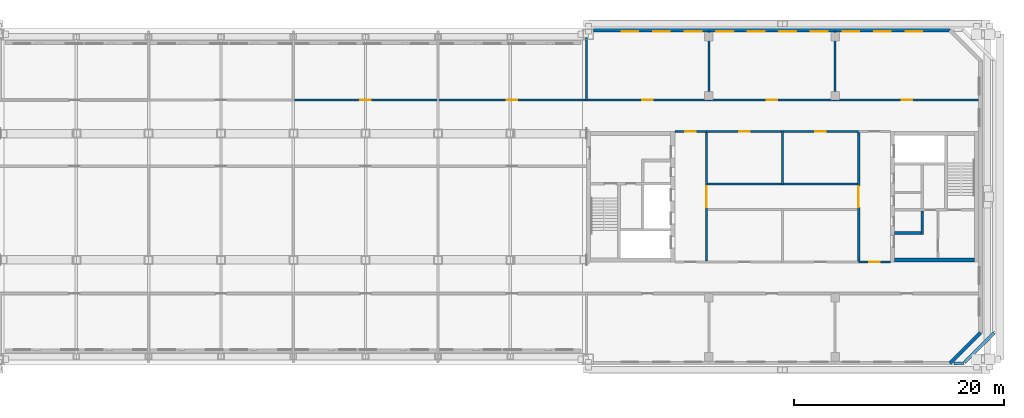
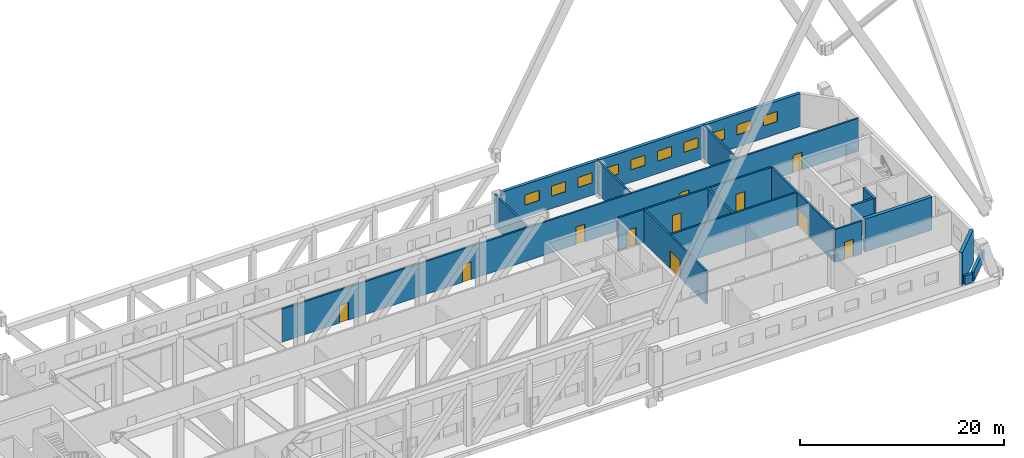
# One storey, part 12 of 17: 18 walls, 11 doors, 10 windows, 21 openings.
"""IFC4 building model written with IfcOpenShell, lengths in metres."""

import ifcopenshell
import ifcopenshell.guid

model = None  # the IFC model being written
_history = None  # IfcOwnerHistory: only IFC2X3 demands one
_inside = {}  # id of a spatial element -> (the spatial element, [elements in it])
_under = {}  # id of a project, library or spatial element -> (it, [spatial elements below it])
_declared = {}  # id of a project -> (the project, [libraries it declares])
_typed = {}  # id of a type object -> (the type object, [elements of that type])
_made_of = {}  # id of a material, layer set ... -> (it, [elements and type objects made of it])


def new_model(schema):
    """Start an empty IFC model of exactly this schema.

    Asked for "IFC4X3", IfcOpenShell would pick the latest addendum, in which some entities
    have other attributes; the version numbers below select the first issue.
    IFC2X3 requires an IfcOwnerHistory on every rooted entity: one is made here for all.
    """
    global model, _history
    if schema == "IFC4X3":
        model = ifcopenshell.file(schema_version=(4, 3, 0, 0))
    else:
        model = ifcopenshell.file(schema=schema)
    _inside.clear()
    _under.clear()
    _declared.clear()
    _typed.clear()
    _made_of.clear()
    _history = None
    if model.schema == "IFC2X3":
        org = make("IfcOrganization", Name="unknown")
        user = make(
            "IfcPersonAndOrganization",
            ThePerson=make("IfcPerson", FamilyName="unknown"),
            TheOrganization=org,
        )
        app = make(
            "IfcApplication",
            ApplicationDeveloper=org,
            Version="unknown",
            ApplicationFullName="unknown",
            ApplicationIdentifier="unknown",
        )
        _history = make(
            "IfcOwnerHistory",
            OwningUser=user,
            OwningApplication=app,
            ChangeAction="ADDED",
            CreationDate=0,
        )
    return model


def make(cls, **values):
    """One entity of the class cls with the attributes given. An attribute that is None is left unset."""
    return model.create_entity(
        cls, **{name: value for name, value in values.items() if value is not None}
    )


def rooted(cls, **values):
    """An entity with a GlobalId (a new one), such as an element, a storey or a relation."""
    return make(cls, GlobalId=ifcopenshell.guid.new(), OwnerHistory=_history, **values)


def si_unit(unit_type, name, prefix=None):
    """IfcSIUnit, for example si_unit("LENGTHUNIT", "METRE", prefix="MILLI")."""
    return make("IfcSIUnit", UnitType=unit_type, Prefix=prefix, Name=name)


def assignment(units):
    """IfcUnitAssignment: the units of a project."""
    return None if units is None else make("IfcUnitAssignment", Units=units)


def point(xyz):
    """IfcCartesianPoint."""
    return None if xyz is None else make("IfcCartesianPoint", Coordinates=xyz)


def direction(xyz):
    """IfcDirection."""
    return None if xyz is None else make("IfcDirection", DirectionRatios=xyz)


def frame(location, z_axis=None, x_axis=None):
    """IfcAxis2Placement3D, a coordinate frame: its origin and axes. An axis left out is left unset."""
    return make(
        "IfcAxis2Placement3D",
        Location=point(location),
        Axis=direction(z_axis),
        RefDirection=direction(x_axis),
    )


def frame_2d(location, x_axis=None):
    """IfcAxis2Placement2D, a coordinate frame in the plane: its origin and x axis."""
    return make(
        "IfcAxis2Placement2D", Location=point(location), RefDirection=direction(x_axis)
    )


def origin():
    """The frame at (0, 0, 0) with its axes left unset."""
    return frame((0.0, 0.0, 0.0))


def place(relative_to, where):
    """IfcLocalPlacement: puts the frame where relative to a parent placement (None: the world)."""
    return make(
        "IfcLocalPlacement", PlacementRelTo=relative_to, RelativePlacement=where
    )


def context(
    kind, dimensions, precision=None, world=None, true_north=None, identifier=None
):
    """IfcGeometricRepresentationContext, for example the 3D "Model" context."""
    return make(
        "IfcGeometricRepresentationContext",
        ContextIdentifier=identifier,
        ContextType=kind,
        CoordinateSpaceDimension=dimensions,
        Precision=precision,
        WorldCoordinateSystem=world,
        TrueNorth=true_north,
    )


def subcontext(parent, identifier, kind, view, scale=None):
    """IfcGeometricRepresentationSubContext, for example "Body" below "Model"."""
    return make(
        "IfcGeometricRepresentationSubContext",
        ContextIdentifier=identifier,
        ContextType=kind,
        ParentContext=parent,
        TargetScale=scale,
        TargetView=view,
    )


def project(units=None, contexts=None):
    """IfcProject with its units and contexts."""
    return rooted(
        "IfcProject",
        Name="project",
        RepresentationContexts=contexts,
        UnitsInContext=assignment(units),
    )


def spatial(cls, under=None, at=None, **own):
    """A site, building, storey or space (cls), placed at a placement, below another one or the project."""
    s = rooted(cls, ObjectPlacement=at, **own)
    if under is not None:
        _under.setdefault(under.id(), (under, []))[1].append(s)
    return s


def profile(cls, at=None, kind="AREA", **sizes):
    """A parametric profile (cls). Its sizes go by their IFC names, for example OverallWidth=200.0."""
    return make(cls, ProfileType=kind, Position=at, **sizes)


def rectangle(**sizes):
    """IfcRectangleProfileDef."""
    return profile("IfcRectangleProfileDef", **sizes)


def extrude(swept, where, along, depth):
    """IfcExtrudedAreaSolid: the profile swept, set in the frame where, extruded along a direction by depth."""
    return make(
        "IfcExtrudedAreaSolid",
        SweptArea=swept,
        Position=where,
        ExtrudedDirection=direction(along),
        Depth=depth,
    )


def shape(context_of_items, identifier, shape_type, items):
    """IfcShapeRepresentation: the items that make up one representation, for example the "Body"."""
    return make(
        "IfcShapeRepresentation",
        ContextOfItems=context_of_items,
        RepresentationIdentifier=identifier,
        RepresentationType=shape_type,
        Items=items,
    )


def material(Name=None, Category=None):
    """IfcMaterial."""
    return make("IfcMaterial", Name=Name, Category=Category)


def layer(
    of_material, thickness, ventilated=None, Name=None, Category=None, Priority=None
):
    """IfcMaterialLayer: one layer of a wall or slab, of a material (None: an air gap)."""
    return make(
        "IfcMaterialLayer",
        Material=of_material,
        LayerThickness=thickness,
        IsVentilated=ventilated,
        Name=Name,
        Category=Category,
        Priority=Priority,
    )


def layer_set(layers, Name=None):
    """IfcMaterialLayerSet."""
    return make("IfcMaterialLayerSet", MaterialLayers=layers, LayerSetName=Name)


def made_of(thing, what):
    """Note that an element or type object is made of a material, layer set ...; save() writes the relation."""
    if what is not None:
        _made_of.setdefault(what.id(), (what, []))[1].append(thing)
    return thing


def type_object(cls, material=None, **own):
    """A type object (cls), such as IfcWallType, which elements share."""
    return made_of(rooted(cls, **own), material)


def element(
    cls,
    number,
    at=None,
    inside=None,
    cuts=None,
    type_object=None,
    material=None,
    context=None,
    identifier="Body",
    shape_type=None,
    held_by="IfcProductDefinitionShape",
    body=None,
    shapes=None,
    **own,
):
    """One element of the class cls, such as IfcWall. Its Tag is "e" and its number.

    at: its placement. inside: the storey or other place that contains it. cuts: it is an
    opening in that element (IfcRelVoidsElement). A single representation is given by context,
    identifier, shape_type and body (its items); several are given by shapes. held_by: the class
    of the entity that holds the representations. save() writes the other relations.
    """
    e = rooted(cls, Tag="e%d" % number, ObjectPlacement=at, **own)
    if body is not None:
        shapes = [shape(context, identifier, shape_type, body)]
    if shapes is not None:
        e.Representation = make(held_by, Representations=shapes)
    if inside is not None:
        _inside.setdefault(inside.id(), (inside, []))[1].append(e)
    if cuts is not None:
        rooted(
            "IfcRelVoidsElement", RelatingBuildingElement=cuts, RelatedOpeningElement=e
        )
    if type_object is not None:
        _typed.setdefault(type_object.id(), (type_object, []))[1].append(e)
    return made_of(e, material)


def fill(opening, filler):
    """IfcRelFillsElement: the door or window that sits in an opening."""
    return rooted(
        "IfcRelFillsElement",
        RelatingOpeningElement=opening,
        RelatedBuildingElement=filler,
    )


def aggregate(whole, parts):
    """IfcRelAggregates: a whole, such as a stair, and the parts it consists of."""
    return rooted("IfcRelAggregates", RelatingObject=whole, RelatedObjects=parts)


def save(model, path):
    """Write the relations noted so far, then the file.

    IfcRelAggregates (storeys below a building ...), IfcRelContainedInSpatialStructure (elements
    in a storey), IfcRelDefinesByType, IfcRelAssociatesMaterial and IfcRelDeclares: one each for
    every whole, place, type object, material and project.
    """
    for whole, parts in _under.values():
        aggregate(whole, parts)
    for where, things in _inside.values():
        rooted(
            "IfcRelContainedInSpatialStructure",
            RelatedElements=things,
            RelatingStructure=where,
        )
    for kind, things in _typed.values():
        rooted("IfcRelDefinesByType", RelatedObjects=things, RelatingType=kind)
    for what, things in _made_of.values():
        rooted("IfcRelAssociatesMaterial", RelatedObjects=things, RelatingMaterial=what)
    for by, libraries in _declared.values():
        rooted("IfcRelDeclares", RelatingContext=by, RelatedDefinitions=libraries)
    model.write(path)


model = new_model("IFC4")

# Units and contexts
model_context = context("Model", 3, precision=1e-05, world=origin(), true_north=direction((0.0, 1.0)))
body_context = subcontext(model_context, "Body", "Model", "MODEL_VIEW")
ifc_project = project(units=[si_unit("LENGTHUNIT", "METRE"), si_unit("AREAUNIT", "SQUARE_METRE"), si_unit("VOLUMEUNIT", "CUBIC_METRE"), si_unit("PLANEANGLEUNIT", "RADIAN"), si_unit("MASSUNIT", "GRAM", prefix="KILO")], contexts=[model_context])

# Site, building, storey
site_placement = place(None, origin())
site = spatial("IfcSite", under=ifc_project, at=site_placement, CompositionType="ELEMENT")
building_placement = place(site_placement, origin())
building = spatial("IfcBuilding", under=site, at=building_placement, Name="Tuart Gate Housing", CompositionType="ELEMENT")
storey_placement = place(building_placement, frame((0.0, 0.0, 194.39990234375)))
storey = spatial("IfcBuildingStorey", under=building, at=storey_placement, Name="L55", CompositionType="ELEMENT", Elevation=194.39990234375)

# Walls
ifc_material_1 = material(Name="Brick", Category="masonry")
ifc_layer_1 = layer(ifc_material_1, 0.300048828125)
ifc_layer_set_1 = layer_set([ifc_layer_1], Name="Brick parapet wall 300")
wall_type_1 = type_object("IfcWallType", Name="Brick parapet wall 300", PredefinedType="PARAPET", material=ifc_layer_set_1)
wall_1_placement = place(storey_placement, frame((166.300048828125, 54.14990234375, 0.0), z_axis=(0.0, 0.0, 1.0), x_axis=(1.0, 0.0, 0.0)))
element("IfcWall", 1, at=wall_1_placement, inside=storey, type_object=wall_type_1, Name="Roof parapet B 1", PredefinedType="PARAPET", context=body_context, shape_type="SweptSolid", body=[
    extrude(rectangle(XDim=0.887939453125, YDim=0.300048828125, at=frame_2d((0.44384765625, 0.0))), origin(), (0.0, 0.0, 1.0), 1.10009765625),
])
wall_2_placement = place(storey_placement, frame((167.29541015625, 54.257568359375, 0.0), z_axis=(0.0, 0.0, 1.0), x_axis=(0.707137557743, 0.70707600329, 0.0)))
element("IfcWall", 2, at=wall_2_placement, inside=storey, type_object=wall_type_1, Name="Roof parapet B 2", PredefinedType="PARAPET", context=body_context, shape_type="SweptSolid", body=[
    extrude(rectangle(XDim=3.96630859375, YDim=0.300048828125, at=frame_2d((1.983154296875, 0.0))), origin(), (0.0, 0.0, 1.0), 1.10009765625),
])
ifc_material_2 = material(Name="Brick", Category="masonry")
ifc_layer_2 = layer(ifc_material_2, 0.360107421875)
ifc_layer_set_2 = layer_set([ifc_layer_2], Name="Brick pier and spandrel wall 360")
wall_type_2 = type_object("IfcWallType", Name="Brick pier and spandrel wall 360", PredefinedType="STANDARD", material=ifc_layer_set_2)
wall_3_placement = place(storey_placement, frame((165.92529296875, 54.179931640625, 0.0), z_axis=(0.0, 0.0, 1.0), x_axis=(0.707106781187, 0.707106781187, 0.0)))
element("IfcWall", 3, at=wall_3_placement, inside=storey, type_object=wall_type_2, Name="External wall BLK-SE L55", PredefinedType="STANDARD", context=body_context, shape_type="SweptSolid", body=[
    extrude(rectangle(XDim=4.09375, YDim=0.360107421875, at=frame_2d((2.046875, 0.0))), origin(), (0.0, 0.0, 1.0), 3.9501953125),
])

# Wall, openings, windows
wall_4_placement = place(storey_placement, frame((165.92529296875, 85.820068359375, 0.0), z_axis=(0.0, 0.0, 1.0), x_axis=(-1.0, 0.0, 0.0)))
wall_4 = element("IfcWall", 4, at=wall_4_placement, inside=storey, type_object=wall_type_2, Name="External wall BLK-N L55", PredefinedType="STANDARD", context=body_context, shape_type="SweptSolid", body=[
    extrude(rectangle(XDim=33.875244140625, YDim=0.360107421875, at=frame_2d((16.9375, 0.0))), origin(), (0.0, 0.0, 1.0), 3.9501953125),
])
opening_1_placement = place(wall_4_placement, frame((2.62548828125, 0.0, 1.5)))
opening_1 = element("IfcOpeningElement", 5, at=opening_1_placement, cuts=wall_4, Name="Opening W3", PredefinedType="OPENING", context=body_context, shape_type="SweptSolid", body=[
    extrude(rectangle(XDim=1.60009765625, YDim=1.199951171875, at=frame_2d((0.800048828125, 0.60009765625))), frame((0.0, 0.18994140625, 0.0), z_axis=(0.0, -1.0, 0.0), x_axis=(1.0, 0.0, 0.0)), (0.0, 0.0, 1.0), 0.380126953125),
])
opening_2_placement = place(wall_4_placement, frame((5.62548828125, 0.0, 1.5)))
opening_2 = element("IfcOpeningElement", 6, at=opening_2_placement, cuts=wall_4, Name="Opening W3", PredefinedType="OPENING", context=body_context, shape_type="SweptSolid", body=[
    extrude(rectangle(XDim=1.60009765625, YDim=1.199951171875, at=frame_2d((0.800048828125, 0.60009765625))), frame((0.0, 0.18994140625, 0.0), z_axis=(0.0, -1.0, 0.0), x_axis=(1.0, 0.0, 0.0)), (0.0, 0.0, 1.0), 0.380126953125),
])
opening_3_placement = place(wall_4_placement, frame((8.62548828125, 0.0, 1.5)))
opening_3 = element("IfcOpeningElement", 7, at=opening_3_placement, cuts=wall_4, Name="Opening W3", PredefinedType="OPENING", context=body_context, shape_type="SweptSolid", body=[
    extrude(rectangle(XDim=1.60009765625, YDim=1.199951171875, at=frame_2d((0.800048828125, 0.60009765625))), frame((0.0, 0.18994140625, 0.0), z_axis=(0.0, -1.0, 0.0), x_axis=(1.0, 0.0, 0.0)), (0.0, 0.0, 1.0), 0.380126953125),
])
opening_4_placement = place(wall_4_placement, frame((11.62548828125, 0.0, 1.5)))
opening_4 = element("IfcOpeningElement", 8, at=opening_4_placement, cuts=wall_4, Name="Opening W3", PredefinedType="OPENING", context=body_context, shape_type="SweptSolid", body=[
    extrude(rectangle(XDim=1.60009765625, YDim=1.199951171875, at=frame_2d((0.800048828125, 0.60009765625))), frame((0.0, 0.18994140625, 0.0), z_axis=(0.0, -1.0, 0.0), x_axis=(1.0, 0.0, 0.0)), (0.0, 0.0, 1.0), 0.380126953125),
])
opening_5_placement = place(wall_4_placement, frame((14.62548828125, 0.0, 1.5)))
opening_5 = element("IfcOpeningElement", 9, at=opening_5_placement, cuts=wall_4, Name="Opening W3", PredefinedType="OPENING", context=body_context, shape_type="SweptSolid", body=[
    extrude(rectangle(XDim=1.60009765625, YDim=1.199951171875, at=frame_2d((0.800048828125, 0.60009765625))), frame((0.0, 0.18994140625, 0.0), z_axis=(0.0, -1.0, 0.0), x_axis=(1.0, 0.0, 0.0)), (0.0, 0.0, 1.0), 0.380126953125),
])
opening_6_placement = place(wall_4_placement, frame((17.62548828125, 0.0, 1.5)))
opening_6 = element("IfcOpeningElement", 10, at=opening_6_placement, cuts=wall_4, Name="Opening W3", PredefinedType="OPENING", context=body_context, shape_type="SweptSolid", body=[
    extrude(rectangle(XDim=1.60009765625, YDim=1.199951171875, at=frame_2d((0.800048828125, 0.60009765625))), frame((0.0, 0.18994140625, 0.0), z_axis=(0.0, -1.0, 0.0), x_axis=(1.0, 0.0, 0.0)), (0.0, 0.0, 1.0), 0.380126953125),
])
opening_7_placement = place(wall_4_placement, frame((20.62548828125, 0.0, 1.5)))
opening_7 = element("IfcOpeningElement", 11, at=opening_7_placement, cuts=wall_4, Name="Opening W3", PredefinedType="OPENING", context=body_context, shape_type="SweptSolid", body=[
    extrude(rectangle(XDim=1.60009765625, YDim=1.199951171875, at=frame_2d((0.800048828125, 0.60009765625))), frame((0.0, 0.18994140625, 0.0), z_axis=(0.0, -1.0, 0.0), x_axis=(1.0, 0.0, 0.0)), (0.0, 0.0, 1.0), 0.380126953125),
])
opening_8_placement = place(wall_4_placement, frame((23.62548828125, 0.0, 1.5)))
opening_8 = element("IfcOpeningElement", 12, at=opening_8_placement, cuts=wall_4, Name="Opening W3", PredefinedType="OPENING", context=body_context, shape_type="SweptSolid", body=[
    extrude(rectangle(XDim=1.60009765625, YDim=1.199951171875, at=frame_2d((0.800048828125, 0.60009765625))), frame((0.0, 0.18994140625, 0.0), z_axis=(0.0, -1.0, 0.0), x_axis=(1.0, 0.0, 0.0)), (0.0, 0.0, 1.0), 0.380126953125),
])
opening_9_placement = place(wall_4_placement, frame((26.62548828125, 0.0, 1.5)))
opening_9 = element("IfcOpeningElement", 13, at=opening_9_placement, cuts=wall_4, Name="Opening W3", PredefinedType="OPENING", context=body_context, shape_type="SweptSolid", body=[
    extrude(rectangle(XDim=1.60009765625, YDim=1.199951171875, at=frame_2d((0.800048828125, 0.60009765625))), frame((0.0, 0.18994140625, 0.0), z_axis=(0.0, -1.0, 0.0), x_axis=(1.0, 0.0, 0.0)), (0.0, 0.0, 1.0), 0.380126953125),
])
opening_10_placement = place(wall_4_placement, frame((29.62548828125, 0.0, 1.5)))
opening_10 = element("IfcOpeningElement", 14, at=opening_10_placement, cuts=wall_4, Name="Opening W3", PredefinedType="OPENING", context=body_context, shape_type="SweptSolid", body=[
    extrude(rectangle(XDim=1.60009765625, YDim=1.199951171875, at=frame_2d((0.800048828125, 0.60009765625))), frame((0.0, 0.18994140625, 0.0), z_axis=(0.0, -1.0, 0.0), x_axis=(1.0, 0.0, 0.0)), (0.0, 0.0, 1.0), 0.380126953125),
])
ifc_material_3 = material(Name="Aluminium louvre blades", Category="aluminium")
window_type = type_object("IfcWindowType", Name="Louvre window 1600 x 1200", PartitioningType="DOUBLE_PANEL_HORIZONTAL", PredefinedType="WINDOW", material=ifc_material_3)
window_1_placement = place(opening_1_placement, origin())
window_1 = element("IfcWindow", 15, at=window_1_placement, inside=storey, type_object=window_type, Name="Louvre W3", OverallHeight=1.199951171875, OverallWidth=1.60009765625, PartitioningType="DOUBLE_PANEL_HORIZONTAL", PredefinedType="WINDOW", context=body_context, shape_type="SweptSolid", body=[
    extrude(rectangle(XDim=1.60009765625, YDim=1.199951171875, at=frame_2d((0.800048828125, 0.60009765625))), frame((0.0, 0.150146484375, 0.0), z_axis=(0.0, -1.0, 0.0), x_axis=(1.0, 0.0, 0.0)), (0.0, 0.0, 1.0), 0.06005859375),
])
fill(opening_1, window_1)
window_2_placement = place(opening_2_placement, origin())
window_2 = element("IfcWindow", 16, at=window_2_placement, inside=storey, type_object=window_type, Name="Louvre W3", OverallHeight=1.199951171875, OverallWidth=1.60009765625, PartitioningType="DOUBLE_PANEL_HORIZONTAL", PredefinedType="WINDOW", context=body_context, shape_type="SweptSolid", body=[
    extrude(rectangle(XDim=1.60009765625, YDim=1.199951171875, at=frame_2d((0.800048828125, 0.60009765625))), frame((0.0, 0.150146484375, 0.0), z_axis=(0.0, -1.0, 0.0), x_axis=(1.0, 0.0, 0.0)), (0.0, 0.0, 1.0), 0.06005859375),
])
fill(opening_2, window_2)
window_3_placement = place(opening_3_placement, origin())
window_3 = element("IfcWindow", 17, at=window_3_placement, inside=storey, type_object=window_type, Name="Louvre W3", OverallHeight=1.199951171875, OverallWidth=1.60009765625, PartitioningType="DOUBLE_PANEL_HORIZONTAL", PredefinedType="WINDOW", context=body_context, shape_type="SweptSolid", body=[
    extrude(rectangle(XDim=1.60009765625, YDim=1.199951171875, at=frame_2d((0.800048828125, 0.60009765625))), frame((0.0, 0.150146484375, 0.0), z_axis=(0.0, -1.0, 0.0), x_axis=(1.0, 0.0, 0.0)), (0.0, 0.0, 1.0), 0.06005859375),
])
fill(opening_3, window_3)
window_4_placement = place(opening_4_placement, origin())
window_4 = element("IfcWindow", 18, at=window_4_placement, inside=storey, type_object=window_type, Name="Louvre W3", OverallHeight=1.199951171875, OverallWidth=1.60009765625, PartitioningType="DOUBLE_PANEL_HORIZONTAL", PredefinedType="WINDOW", context=body_context, shape_type="SweptSolid", body=[
    extrude(rectangle(XDim=1.60009765625, YDim=1.199951171875, at=frame_2d((0.800048828125, 0.60009765625))), frame((0.0, 0.150146484375, 0.0), z_axis=(0.0, -1.0, 0.0), x_axis=(1.0, 0.0, 0.0)), (0.0, 0.0, 1.0), 0.06005859375),
])
fill(opening_4, window_4)
window_5_placement = place(opening_5_placement, origin())
window_5 = element("IfcWindow", 19, at=window_5_placement, inside=storey, type_object=window_type, Name="Louvre W3", OverallHeight=1.199951171875, OverallWidth=1.60009765625, PartitioningType="DOUBLE_PANEL_HORIZONTAL", PredefinedType="WINDOW", context=body_context, shape_type="SweptSolid", body=[
    extrude(rectangle(XDim=1.60009765625, YDim=1.199951171875, at=frame_2d((0.800048828125, 0.60009765625))), frame((0.0, 0.150146484375, 0.0), z_axis=(0.0, -1.0, 0.0), x_axis=(1.0, 0.0, 0.0)), (0.0, 0.0, 1.0), 0.06005859375),
])
fill(opening_5, window_5)
window_6_placement = place(opening_6_placement, origin())
window_6 = element("IfcWindow", 20, at=window_6_placement, inside=storey, type_object=window_type, Name="Louvre W3", OverallHeight=1.199951171875, OverallWidth=1.60009765625, PartitioningType="DOUBLE_PANEL_HORIZONTAL", PredefinedType="WINDOW", context=body_context, shape_type="SweptSolid", body=[
    extrude(rectangle(XDim=1.60009765625, YDim=1.199951171875, at=frame_2d((0.800048828125, 0.60009765625))), frame((0.0, 0.150146484375, 0.0), z_axis=(0.0, -1.0, 0.0), x_axis=(1.0, 0.0, 0.0)), (0.0, 0.0, 1.0), 0.06005859375),
])
fill(opening_6, window_6)
window_7_placement = place(opening_7_placement, origin())
window_7 = element("IfcWindow", 21, at=window_7_placement, inside=storey, type_object=window_type, Name="Louvre W3", OverallHeight=1.199951171875, OverallWidth=1.60009765625, PartitioningType="DOUBLE_PANEL_HORIZONTAL", PredefinedType="WINDOW", context=body_context, shape_type="SweptSolid", body=[
    extrude(rectangle(XDim=1.60009765625, YDim=1.199951171875, at=frame_2d((0.800048828125, 0.60009765625))), frame((0.0, 0.150146484375, 0.0), z_axis=(0.0, -1.0, 0.0), x_axis=(1.0, 0.0, 0.0)), (0.0, 0.0, 1.0), 0.06005859375),
])
fill(opening_7, window_7)
window_8_placement = place(opening_8_placement, origin())
window_8 = element("IfcWindow", 22, at=window_8_placement, inside=storey, type_object=window_type, Name="Louvre W3", OverallHeight=1.199951171875, OverallWidth=1.60009765625, PartitioningType="DOUBLE_PANEL_HORIZONTAL", PredefinedType="WINDOW", context=body_context, shape_type="SweptSolid", body=[
    extrude(rectangle(XDim=1.60009765625, YDim=1.199951171875, at=frame_2d((0.800048828125, 0.60009765625))), frame((0.0, 0.150146484375, 0.0), z_axis=(0.0, -1.0, 0.0), x_axis=(1.0, 0.0, 0.0)), (0.0, 0.0, 1.0), 0.06005859375),
])
fill(opening_8, window_8)
window_9_placement = place(opening_9_placement, origin())
window_9 = element("IfcWindow", 23, at=window_9_placement, inside=storey, type_object=window_type, Name="Louvre W3", OverallHeight=1.199951171875, OverallWidth=1.60009765625, PartitioningType="DOUBLE_PANEL_HORIZONTAL", PredefinedType="WINDOW", context=body_context, shape_type="SweptSolid", body=[
    extrude(rectangle(XDim=1.60009765625, YDim=1.199951171875, at=frame_2d((0.800048828125, 0.60009765625))), frame((0.0, 0.150146484375, 0.0), z_axis=(0.0, -1.0, 0.0), x_axis=(1.0, 0.0, 0.0)), (0.0, 0.0, 1.0), 0.06005859375),
])
fill(opening_9, window_9)
window_10_placement = place(opening_10_placement, origin())
window_10 = element("IfcWindow", 24, at=window_10_placement, inside=storey, type_object=window_type, Name="Louvre W3", OverallHeight=1.199951171875, OverallWidth=1.60009765625, PartitioningType="DOUBLE_PANEL_HORIZONTAL", PredefinedType="WINDOW", context=body_context, shape_type="SweptSolid", body=[
    extrude(rectangle(XDim=1.60009765625, YDim=1.199951171875, at=frame_2d((0.800048828125, 0.60009765625))), frame((0.0, 0.150146484375, 0.0), z_axis=(0.0, -1.0, 0.0), x_axis=(1.0, 0.0, 0.0)), (0.0, 0.0, 1.0), 0.06005859375),
])
fill(opening_10, window_10)

# Walls
ifc_material_4 = material(Name="Concrete C40", Category="concrete")
ifc_layer_3 = layer(ifc_material_4, 0.25)
ifc_layer_set_3 = layer_set([ifc_layer_3], Name="Core wall 250 C40")
wall_type_3 = type_object("IfcWallType", Name="Core wall 250 C40", PredefinedType="SHEAR", material=ifc_layer_set_3)
wall_5_placement = place(storey_placement, frame((160.639892578125, 66.550048828125, 0.0), z_axis=(0.0, 0.0, 1.0), x_axis=(1.0, 0.0, 0.0)))
element("IfcWall", 25, at=wall_5_placement, inside=storey, type_object=wall_type_3, Name="Core wall BK.4", PredefinedType="SHEAR", context=body_context, shape_type="SweptSolid", body=[
    extrude(rectangle(XDim=2.525146484375, YDim=0.25, at=frame_2d((1.2626953125, 0.0))), origin(), (0.0, 0.0, 1.0), 3.9501953125),
])
wall_6_placement = place(storey_placement, frame((163.2900390625, 68.625, 0.0), z_axis=(0.0, 0.0, 1.0), x_axis=(0.0, -1.0, 0.0)))
element("IfcWall", 26, at=wall_6_placement, inside=storey, type_object=wall_type_3, Name="Core wall BK.6", PredefinedType="SHEAR", context=body_context, shape_type="SweptSolid", body=[
    extrude(rectangle(XDim=2.199951171875, YDim=0.25, at=frame_2d((1.10009765625, 0.0))), origin(), (0.0, 0.0, 1.0), 3.9501953125),
])
ifc_material_5 = material(Name="Concrete C40", Category="concrete")
ifc_layer_4 = layer(ifc_material_5, 0.39990234375)
ifc_layer_set_4 = layer_set([ifc_layer_4], Name="Core wall 400 C40")
wall_type_4 = type_object("IfcWallType", Name="Core wall 400 C40", PredefinedType="SHEAR", material=ifc_layer_set_4)
wall_7_placement = place(storey_placement, frame((160.639892578125, 64.0, 0.0), z_axis=(0.0, 0.0, 1.0), x_axis=(1.0, 0.0, 0.0)))
element("IfcWall", 27, at=wall_7_placement, inside=storey, type_object=wall_type_4, Name="Core wall BK north", PredefinedType="SHEAR", context=body_context, shape_type="SweptSolid", body=[
    extrude(rectangle(XDim=7.60009765625, YDim=0.39990234375, at=frame_2d((3.800048828125, 0.0))), origin(), (0.0, 0.0, 1.0), 3.9501953125),
])

# Wall, opening, door
ifc_material_6 = material(Name="Concrete masonry 15 MPa", Category="masonry")
ifc_layer_5 = layer(ifc_material_6, 0.199951171875)
ifc_layer_set_5 = layer_set([ifc_layer_5], Name="Enclosure wall masonry 200")
wall_type_5 = type_object("IfcWallType", Name="Enclosure wall masonry 200", PredefinedType="PARTITIONING", material=ifc_layer_set_5)
wall_8_placement = place(storey_placement, frame((157.239990234375, 63.800048828125, 0.0), z_axis=(0.0, 0.0, 1.0), x_axis=(1.0, 0.0, 0.0)))
wall_8 = element("IfcWall", 28, at=wall_8_placement, inside=storey, type_object=wall_type_5, Name="Enclosure wall masonry 200", PredefinedType="PARTITIONING", context=body_context, shape_type="SweptSolid", body=[
    extrude(rectangle(XDim=3.0, YDim=0.199951171875, at=frame_2d((1.5, 0.0))), origin(), (0.0, 0.0, 1.0), 3.9501953125),
])
opening_11_placement = place(wall_8_placement, frame((1.0, 0.0, 0.0)))
opening_11 = element("IfcOpeningElement", 29, at=opening_11_placement, cuts=wall_8, Name="Opening D3565", PredefinedType="OPENING", context=body_context, shape_type="SweptSolid", body=[
    extrude(rectangle(XDim=1.0, YDim=2.10009765625, at=frame_2d((0.5, 1.050048828125))), frame((0.0, 0.10986328125, 0.0), z_axis=(0.0, -1.0, 0.0), x_axis=(1.0, 0.0, 0.0)), (0.0, 0.0, 1.0), 0.219970703125),
])
ifc_material_7 = material(Name="Timber door leaf in steel frame", Category="steel")
door_type_1 = type_object("IfcDoorType", Name="Lobby door 1000", OperationType="SINGLE_SWING_LEFT", PredefinedType="DOOR", material=ifc_material_7)
door_1_placement = place(opening_11_placement, origin())
door_1 = element("IfcDoor", 30, at=door_1_placement, inside=storey, type_object=door_type_1, Name="Lobby door 1000", OperationType="SINGLE_SWING_LEFT", OverallHeight=2.10009765625, OverallWidth=1.0, PredefinedType="DOOR", context=body_context, shape_type="SweptSolid", body=[
    extrude(rectangle(XDim=1.0, YDim=2.10009765625, at=frame_2d((0.5, 1.050048828125))), frame((0.0, 0.02490234375, 0.0), z_axis=(0.0, -1.0, 0.0), x_axis=(1.0, 0.0, 0.0)), (0.0, 0.0, 1.0), 0.050048828125),
])
fill(opening_11, door_1)

# Wall
wall_9_placement = place(storey_placement, frame((142.760009765625, 71.199951171875, 0.0), z_axis=(0.0, 0.0, 1.0), x_axis=(1.0, 0.0, 0.0)))
element("IfcWall", 31, at=wall_9_placement, inside=storey, type_object=wall_type_5, Name="Enclosure wall masonry 200", PredefinedType="PARTITIONING", context=body_context, shape_type="SweptSolid", body=[
    extrude(rectangle(XDim=14.47998046875, YDim=0.199951171875, at=frame_2d((7.239990234375, 0.0))), origin(), (0.0, 0.0, 1.0), 3.9501953125),
])

# Wall, openings, doors
wall_10_placement = place(storey_placement, frame((142.760009765625, 76.199951171875, 0.0), z_axis=(0.0, 0.0, 1.0), x_axis=(1.0, 0.0, 0.0)))
wall_10 = element("IfcWall", 32, at=wall_10_placement, inside=storey, type_object=wall_type_5, Name="Enclosure wall masonry 200", PredefinedType="PARTITIONING", context=body_context, shape_type="SweptSolid", body=[
    extrude(rectangle(XDim=14.47998046875, YDim=0.199951171875, at=frame_2d((7.239990234375, 0.0))), origin(), (0.0, 0.0, 1.0), 3.9501953125),
])
opening_12_placement = place(wall_10_placement, frame((3.1201171875, 0.0, 0.0)))
opening_12 = element("IfcOpeningElement", 33, at=opening_12_placement, cuts=wall_10, Name="Opening D3545", PredefinedType="OPENING", context=body_context, shape_type="SweptSolid", body=[
    extrude(rectangle(XDim=1.0, YDim=2.10009765625, at=frame_2d((0.5, 1.050048828125))), frame((0.0, 0.10986328125, 0.0), z_axis=(0.0, -1.0, 0.0), x_axis=(1.0, 0.0, 0.0)), (0.0, 0.0, 1.0), 0.219970703125),
])
opening_13_placement = place(wall_10_placement, frame((10.360107421875, 0.0, 0.0)))
opening_13 = element("IfcOpeningElement", 34, at=opening_13_placement, cuts=wall_10, Name="Opening D3546", PredefinedType="OPENING", context=body_context, shape_type="SweptSolid", body=[
    extrude(rectangle(XDim=1.0, YDim=2.10009765625, at=frame_2d((0.5, 1.050048828125))), frame((0.0, 0.10986328125, 0.0), z_axis=(0.0, -1.0, 0.0), x_axis=(1.0, 0.0, 0.0)), (0.0, 0.0, 1.0), 0.219970703125),
])
ifc_material_8 = material(Name="Timber door leaf in steel frame", Category="steel")
door_type_2 = type_object("IfcDoorType", Name="Fire door 1000 RH", OperationType="SINGLE_SWING_RIGHT", PredefinedType="DOOR", material=ifc_material_8)
door_2_placement = place(opening_12_placement, frame((1.0, 0.0, 0.0), z_axis=(0.0, 0.0, 1.0), x_axis=(-1.0, 0.0, 0.0)))
door_2 = element("IfcDoor", 35, at=door_2_placement, inside=storey, type_object=door_type_2, Name="Fire door 1000", OperationType="SINGLE_SWING_RIGHT", OverallHeight=2.10009765625, OverallWidth=1.0, PredefinedType="DOOR", context=body_context, shape_type="SweptSolid", body=[
    extrude(rectangle(XDim=1.0, YDim=2.10009765625, at=frame_2d((0.5, 1.050048828125))), frame((0.0, 0.025146484375, 0.0), z_axis=(0.0, -1.0, 0.0), x_axis=(1.0, 0.0, 0.0)), (0.0, 0.0, 1.0), 0.050048828125),
])
fill(opening_12, door_2)
door_3_placement = place(opening_13_placement, frame((1.0, 0.0, 0.0), z_axis=(0.0, 0.0, 1.0), x_axis=(-1.0, 0.0, 0.0)))
door_3 = element("IfcDoor", 36, at=door_3_placement, inside=storey, type_object=door_type_2, Name="Fire door 1000", OperationType="SINGLE_SWING_RIGHT", OverallHeight=2.10009765625, OverallWidth=1.0, PredefinedType="DOOR", context=body_context, shape_type="SweptSolid", body=[
    extrude(rectangle(XDim=1.0, YDim=2.10009765625, at=frame_2d((0.5, 1.050048828125))), frame((0.0, 0.025146484375, 0.0), z_axis=(0.0, -1.0, 0.0), x_axis=(1.0, 0.0, 0.0)), (0.0, 0.0, 1.0), 0.050048828125),
])
fill(opening_13, door_3)

# Wall, opening, door
wall_11_placement = place(storey_placement, frame((139.760009765625, 76.199951171875, 0.0), z_axis=(0.0, 0.0, 1.0), x_axis=(1.0, 0.0, 0.0)))
wall_11 = element("IfcWall", 37, at=wall_11_placement, inside=storey, type_object=wall_type_5, Name="Enclosure wall masonry 200", PredefinedType="PARTITIONING", context=body_context, shape_type="SweptSolid", body=[
    extrude(rectangle(XDim=3.0, YDim=0.199951171875, at=frame_2d((1.5, 0.0))), origin(), (0.0, 0.0, 1.0), 3.9501953125),
])
opening_14_placement = place(wall_11_placement, frame((1.0, 0.0, 0.0)))
opening_14 = element("IfcOpeningElement", 38, at=opening_14_placement, cuts=wall_11, Name="Opening D3544", PredefinedType="OPENING", context=body_context, shape_type="SweptSolid", body=[
    extrude(rectangle(XDim=1.0, YDim=2.10009765625, at=frame_2d((0.5, 1.050048828125))), frame((0.0, 0.10986328125, 0.0), z_axis=(0.0, -1.0, 0.0), x_axis=(1.0, 0.0, 0.0)), (0.0, 0.0, 1.0), 0.219970703125),
])
door_4_placement = place(opening_14_placement, frame((1.0, 0.0, 0.0), z_axis=(0.0, 0.0, 1.0), x_axis=(-1.0, 0.0, 0.0)))
door_4 = element("IfcDoor", 39, at=door_4_placement, inside=storey, type_object=door_type_1, Name="Lobby door 1000", OperationType="SINGLE_SWING_LEFT", OverallHeight=2.10009765625, OverallWidth=1.0, PredefinedType="DOOR", context=body_context, shape_type="SweptSolid", body=[
    extrude(rectangle(XDim=1.0, YDim=2.10009765625, at=frame_2d((0.5, 1.050048828125))), frame((0.0, 0.025146484375, 0.0), z_axis=(0.0, -1.0, 0.0), x_axis=(1.0, 0.0, 0.0)), (0.0, 0.0, 1.0), 0.050048828125),
])
fill(opening_14, door_4)

# Wall, openings, doors
wall_12_placement = place(storey_placement, frame((103.39990234375, 79.199951171875, 0.0), z_axis=(0.0, 0.0, 1.0), x_axis=(1.0, 0.0, 0.0)))
wall_12 = element("IfcWall", 40, at=wall_12_placement, inside=storey, type_object=wall_type_5, Name="Enclosure wall masonry 200", PredefinedType="PARTITIONING", context=body_context, shape_type="SweptSolid", body=[
    extrude(rectangle(XDim=65.360107421875, YDim=0.199951171875, at=frame_2d((32.68017578125, 0.0))), origin(), (0.0, 0.0, 1.0), 3.9501953125),
])
opening_15_placement = place(wall_12_placement, frame((6.47509765625, 0.0, 0.0)))
opening_15 = element("IfcOpeningElement", 41, at=opening_15_placement, cuts=wall_12, Name="Opening D3539", PredefinedType="OPENING", context=body_context, shape_type="SweptSolid", body=[
    extrude(rectangle(XDim=1.0, YDim=2.10009765625, at=frame_2d((0.5, 1.050048828125))), frame((0.0, 0.10986328125, 0.0), z_axis=(0.0, -1.0, 0.0), x_axis=(1.0, 0.0, 0.0)), (0.0, 0.0, 1.0), 0.219970703125),
])
opening_16_placement = place(wall_12_placement, frame((20.405029296875, 0.0, 0.0)))
opening_16 = element("IfcOpeningElement", 42, at=opening_16_placement, cuts=wall_12, Name="Opening D3540", PredefinedType="OPENING", context=body_context, shape_type="SweptSolid", body=[
    extrude(rectangle(XDim=1.0, YDim=2.10009765625, at=frame_2d((0.5, 1.050048828125))), frame((0.0, 0.10986328125, 0.0), z_axis=(0.0, -1.0, 0.0), x_axis=(1.0, 0.0, 0.0)), (0.0, 0.0, 1.0), 0.219970703125),
])
opening_17_placement = place(wall_12_placement, frame((33.280029296875, 0.0, 0.0)))
opening_17 = element("IfcOpeningElement", 43, at=opening_17_placement, cuts=wall_12, Name="Opening D3541", PredefinedType="OPENING", context=body_context, shape_type="SweptSolid", body=[
    extrude(rectangle(XDim=1.0, YDim=2.10009765625, at=frame_2d((0.5, 1.050048828125))), frame((0.0, 0.10986328125, 0.0), z_axis=(0.0, -1.0, 0.0), x_axis=(1.0, 0.0, 0.0)), (0.0, 0.0, 1.0), 0.219970703125),
])
opening_18_placement = place(wall_12_placement, frame((45.10009765625, 0.0, 0.0)))
opening_18 = element("IfcOpeningElement", 44, at=opening_18_placement, cuts=wall_12, Name="Opening D3542", PredefinedType="OPENING", context=body_context, shape_type="SweptSolid", body=[
    extrude(rectangle(XDim=1.0, YDim=2.10009765625, at=frame_2d((0.5, 1.050048828125))), frame((0.0, 0.10986328125, 0.0), z_axis=(0.0, -1.0, 0.0), x_axis=(1.0, 0.0, 0.0)), (0.0, 0.0, 1.0), 0.219970703125),
])
opening_19_placement = place(wall_12_placement, frame((57.919921875, 0.0, 0.0)))
opening_19 = element("IfcOpeningElement", 45, at=opening_19_placement, cuts=wall_12, Name="Opening D3543", PredefinedType="OPENING", context=body_context, shape_type="SweptSolid", body=[
    extrude(rectangle(XDim=1.0, YDim=2.10009765625, at=frame_2d((0.5, 1.050048828125))), frame((0.0, 0.10986328125, 0.0), z_axis=(0.0, -1.0, 0.0), x_axis=(1.0, 0.0, 0.0)), (0.0, 0.0, 1.0), 0.219970703125),
])
ifc_material_9 = material(Name="Timber door leaf in steel frame", Category="steel")
door_type_3 = type_object("IfcDoorType", Name="Fire door 1000", OperationType="SINGLE_SWING_LEFT", PredefinedType="DOOR", material=ifc_material_9)
door_5_placement = place(opening_15_placement, origin())
door_5 = element("IfcDoor", 46, at=door_5_placement, inside=storey, type_object=door_type_3, Name="Fire door 1000", OperationType="SINGLE_SWING_LEFT", OverallHeight=2.10009765625, OverallWidth=1.0, PredefinedType="DOOR", context=body_context, shape_type="SweptSolid", body=[
    extrude(rectangle(XDim=1.0, YDim=2.10009765625, at=frame_2d((0.5, 1.050048828125))), frame((0.0, 0.02490234375, 0.0), z_axis=(0.0, -1.0, 0.0), x_axis=(1.0, 0.0, 0.0)), (0.0, 0.0, 1.0), 0.050048828125),
])
fill(opening_15, door_5)
door_6_placement = place(opening_16_placement, origin())
door_6 = element("IfcDoor", 47, at=door_6_placement, inside=storey, type_object=door_type_3, Name="Fire door 1000", OperationType="SINGLE_SWING_LEFT", OverallHeight=2.10009765625, OverallWidth=1.0, PredefinedType="DOOR", context=body_context, shape_type="SweptSolid", body=[
    extrude(rectangle(XDim=1.0, YDim=2.10009765625, at=frame_2d((0.5, 1.050048828125))), frame((0.0, 0.02490234375, 0.0), z_axis=(0.0, -1.0, 0.0), x_axis=(1.0, 0.0, 0.0)), (0.0, 0.0, 1.0), 0.050048828125),
])
fill(opening_16, door_6)
door_7_placement = place(opening_17_placement, origin())
door_7 = element("IfcDoor", 48, at=door_7_placement, inside=storey, type_object=door_type_3, Name="Fire door 1000", OperationType="SINGLE_SWING_LEFT", OverallHeight=2.10009765625, OverallWidth=1.0, PredefinedType="DOOR", context=body_context, shape_type="SweptSolid", body=[
    extrude(rectangle(XDim=1.0, YDim=2.10009765625, at=frame_2d((0.5, 1.050048828125))), frame((0.0, 0.02490234375, 0.0), z_axis=(0.0, -1.0, 0.0), x_axis=(1.0, 0.0, 0.0)), (0.0, 0.0, 1.0), 0.050048828125),
])
fill(opening_17, door_7)
door_8_placement = place(opening_18_placement, origin())
door_8 = element("IfcDoor", 49, at=door_8_placement, inside=storey, type_object=door_type_3, Name="Fire door 1000", OperationType="SINGLE_SWING_LEFT", OverallHeight=2.10009765625, OverallWidth=1.0, PredefinedType="DOOR", context=body_context, shape_type="SweptSolid", body=[
    extrude(rectangle(XDim=1.0, YDim=2.10009765625, at=frame_2d((0.5, 1.050048828125))), frame((0.0, 0.02490234375, 0.0), z_axis=(0.0, -1.0, 0.0), x_axis=(1.0, 0.0, 0.0)), (0.0, 0.0, 1.0), 0.050048828125),
])
fill(opening_18, door_8)
door_9_placement = place(opening_19_placement, origin())
door_9 = element("IfcDoor", 50, at=door_9_placement, inside=storey, type_object=door_type_3, Name="Fire door 1000", OperationType="SINGLE_SWING_LEFT", OverallHeight=2.10009765625, OverallWidth=1.0, PredefinedType="DOOR", context=body_context, shape_type="SweptSolid", body=[
    extrude(rectangle(XDim=1.0, YDim=2.10009765625, at=frame_2d((0.5, 1.050048828125))), frame((0.0, 0.02490234375, 0.0), z_axis=(0.0, -1.0, 0.0), x_axis=(1.0, 0.0, 0.0)), (0.0, 0.0, 1.0), 0.050048828125),
])
fill(opening_19, door_9)

# Walls
for number, where, z_axis, x_axis, name in (
    (51, (131.360107421875, 79.10009765625, 0.0), (0.0, 0.0, 1.0), (0.0, 1.0, 0.0), "Enclosure wall masonry 200"),
    (52, (143.0, 79.10009765625, 0.0), (0.0, 0.0, 1.0), (0.0, 1.0, 0.0), "Enclosure wall masonry 200"),
):
    element("IfcWall", number, at=place(storey_placement, frame(where, z_axis=z_axis, x_axis=x_axis)), inside=storey, type_object=wall_type_5, Name=name, PredefinedType="PARTITIONING", context=body_context, shape_type="SweptSolid", body=[
        extrude(rectangle(XDim=6.659912109375, YDim=0.199951171875, at=frame_2d((3.330078125, 0.0))), origin(), (0.0, 0.0, 1.0), 3.9501953125),
    ])
wall_13_placement = place(storey_placement, frame((150.0, 71.10009765625, 0.0), z_axis=(0.0, 0.0, 1.0), x_axis=(0.0, 1.0, 0.0)))
element("IfcWall", 53, at=wall_13_placement, inside=storey, type_object=wall_type_5, Name="Enclosure wall masonry 200", PredefinedType="PARTITIONING", context=body_context, shape_type="SweptSolid", body=[
    extrude(rectangle(XDim=5.199951171875, YDim=0.199951171875, at=frame_2d((2.60009765625, 0.0))), origin(), (0.0, 0.0, 1.0), 3.9501953125),
])
wall_14_placement = place(storey_placement, frame((155.0, 79.10009765625, 0.0), z_axis=(0.0, 0.0, 1.0), x_axis=(0.0, 1.0, 0.0)))
element("IfcWall", 54, at=wall_14_placement, inside=storey, type_object=wall_type_5, Name="Enclosure wall masonry 200", PredefinedType="PARTITIONING", context=body_context, shape_type="SweptSolid", body=[
    extrude(rectangle(XDim=6.659912109375, YDim=0.199951171875, at=frame_2d((3.330078125, 0.0))), origin(), (0.0, 0.0, 1.0), 3.9501953125),
])

# Wall, opening, door
ifc_material_10 = material(Name="Plasterboard partition")
ifc_layer_6 = layer(ifc_material_10, 0.199951171875)
ifc_layer_set_6 = layer_set([ifc_layer_6], Name="Lobby wall 200")
wall_type_6 = type_object("IfcWallType", Name="Lobby wall 200", PredefinedType="PARTITIONING", material=ifc_layer_set_6)
wall_15_placement = place(storey_placement, frame((142.760009765625, 63.89990234375, 0.0), z_axis=(0.0, 0.0, 1.0), x_axis=(0.0, 1.0, 0.0)))
wall_15 = element("IfcWall", 55, at=wall_15_placement, inside=storey, type_object=wall_type_6, Name="Lift lobby wall BG", PredefinedType="PARTITIONING", context=body_context, shape_type="SweptSolid", body=[
    extrude(rectangle(XDim=12.2001953125, YDim=0.199951171875, at=frame_2d((6.10009765625, 0.0))), origin(), (0.0, 0.0, 1.0), 3.9501953125),
])
opening_20_placement = place(wall_15_placement, frame((5.10009765625, 0.0, 0.0)))
opening_20 = element("IfcOpeningElement", 56, at=opening_20_placement, cuts=wall_15, Name="Opening D3553", PredefinedType="OPENING", context=body_context, shape_type="SweptSolid", body=[
    extrude(rectangle(XDim=2.0, YDim=2.10009765625, at=frame_2d((1.0, 1.050048828125))), frame((0.0, 0.10986328125, 0.0), z_axis=(0.0, -1.0, 0.0), x_axis=(1.0, 0.0, 0.0)), (0.0, 0.0, 1.0), 0.219970703125),
])
ifc_material_11 = material(Name="Steel fire door", Category="steel")
door_type_4 = type_object("IfcDoorType", Name="Smoke door 2000 x 2100", OperationType="DOUBLE_DOOR_SINGLE_SWING", PredefinedType="DOOR", material=ifc_material_11)
door_10_placement = place(opening_20_placement, origin())
door_10 = element("IfcDoor", 57, at=door_10_placement, inside=storey, type_object=door_type_4, Name="Lift lobby smoke door BG", OperationType="DOUBLE_DOOR_SINGLE_SWING", OverallHeight=2.10009765625, OverallWidth=2.0, PredefinedType="DOOR", context=body_context, shape_type="SweptSolid", body=[
    extrude(rectangle(XDim=2.0, YDim=2.10009765625, at=frame_2d((1.0, 1.050048828125))), frame((0.0, 0.02490234375, 0.0), z_axis=(0.0, -1.0, 0.0), x_axis=(1.0, 0.0, 0.0)), (0.0, 0.0, 1.0), 0.050048828125),
])
fill(opening_20, door_10)

wall_16_placement = place(storey_placement, frame((157.239990234375, 63.89990234375, 0.0), z_axis=(0.0, 0.0, 1.0), x_axis=(0.0, 1.0, 0.0)))
wall_16 = element("IfcWall", 58, at=wall_16_placement, inside=storey, type_object=wall_type_6, Name="Lift lobby wall BK", PredefinedType="PARTITIONING", context=body_context, shape_type="SweptSolid", body=[
    extrude(rectangle(XDim=12.2001953125, YDim=0.199951171875, at=frame_2d((6.10009765625, 0.0))), origin(), (0.0, 0.0, 1.0), 3.9501953125),
])
opening_21_placement = place(wall_16_placement, frame((5.10009765625, 0.0, 0.0)))
opening_21 = element("IfcOpeningElement", 59, at=opening_21_placement, cuts=wall_16, Name="Opening D3554", PredefinedType="OPENING", context=body_context, shape_type="SweptSolid", body=[
    extrude(rectangle(XDim=2.0, YDim=2.10009765625, at=frame_2d((1.0, 1.050048828125))), frame((0.0, 0.10986328125, 0.0), z_axis=(0.0, -1.0, 0.0), x_axis=(1.0, 0.0, 0.0)), (0.0, 0.0, 1.0), 0.219970703125),
])
door_11_placement = place(opening_21_placement, frame((2.0, 0.0, 0.0), z_axis=(0.0, 0.0, 1.0), x_axis=(-1.0, 0.0, 0.0)))
door_11 = element("IfcDoor", 60, at=door_11_placement, inside=storey, type_object=door_type_4, Name="Lift lobby smoke door BK", OperationType="DOUBLE_DOOR_SINGLE_SWING", OverallHeight=2.10009765625, OverallWidth=2.0, PredefinedType="DOOR", context=body_context, shape_type="SweptSolid", body=[
    extrude(rectangle(XDim=2.0, YDim=2.10009765625, at=frame_2d((1.0, 1.050048828125))), frame((0.0, 0.025146484375, 0.0), z_axis=(0.0, -1.0, 0.0), x_axis=(1.0, 0.0, 0.0)), (0.0, 0.0, 1.0), 0.050048828125),
])
fill(opening_21, door_11)

save(model, "model.ifc")
